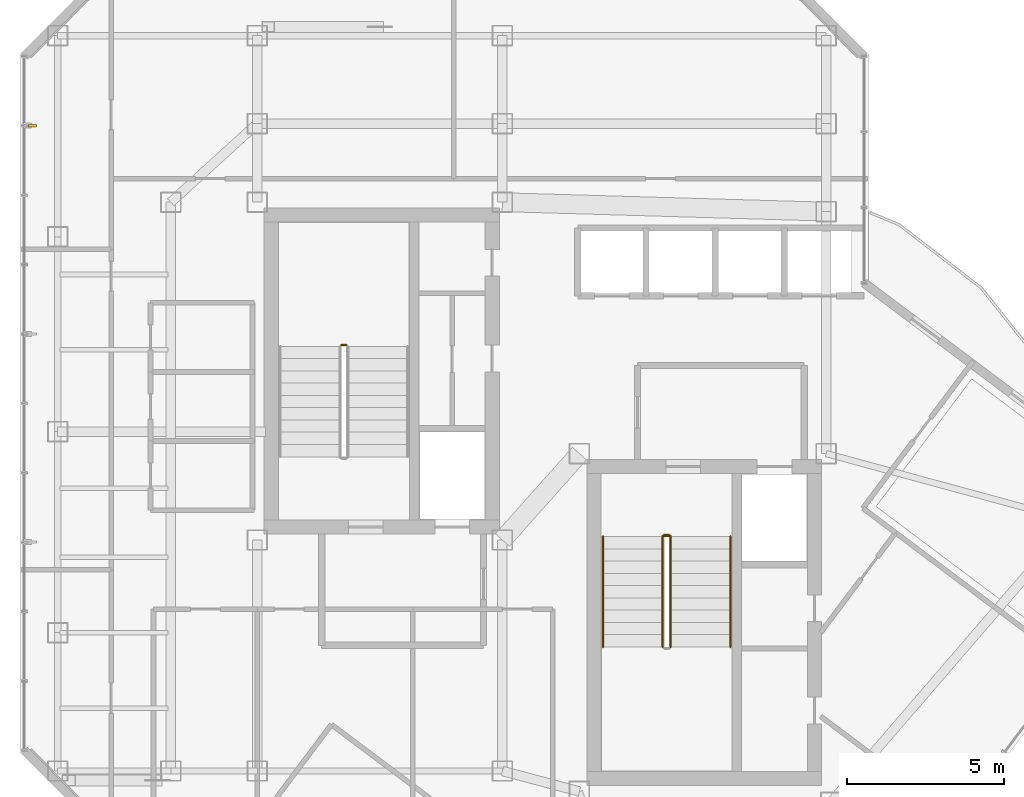
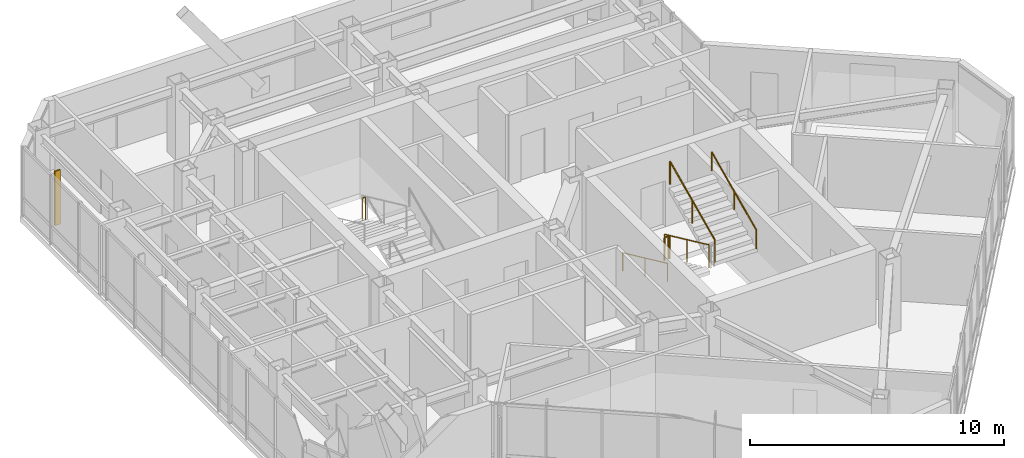
# One storey, part 21 of 22: 7 railings, 1 shading device.
"""IFC4 building model written with IfcOpenShell, lengths in metres."""

from ifc_helpers import new_model, si_unit, direction, frame, origin, origin_2d, place, context, subcontext, project, spatial, rectangle, circle, extrude, material, layer, layer_set, type_object, element, save


model = new_model("IFC4")

# Units and contexts
model_context = context("Model", 3, precision=1e-05, world=origin(), true_north=direction((0.0, 1.0)))
body_context = subcontext(model_context, "Body", "Model", "MODEL_VIEW")
ifc_project = project(units=[si_unit("LENGTHUNIT", "METRE"), si_unit("AREAUNIT", "SQUARE_METRE"), si_unit("VOLUMEUNIT", "CUBIC_METRE"), si_unit("PLANEANGLEUNIT", "RADIAN"), si_unit("MASSUNIT", "GRAM", prefix="KILO")], contexts=[model_context])

# Site, building, storey
site_placement = place(None, origin())
site = spatial("IfcSite", under=ifc_project, at=site_placement, CompositionType="ELEMENT")
building_placement = place(site_placement, origin())
building = spatial("IfcBuilding", under=site, at=building_placement, Name="Hatsunagi Terrace Concourse", CompositionType="ELEMENT")
storey_placement = place(building_placement, frame((0.0, 0.0, 243.14990234375)))
storey = spatial("IfcBuildingStorey", under=building, at=storey_placement, Name="L64", CompositionType="ELEMENT", Elevation=243.14990234375)

# Railings
ifc_material_1 = material(Name="Stainless steel", Category="steel")
ifc_layer_1 = layer(ifc_material_1, 0.044921875)
ifc_layer_set_1 = layer_set([ifc_layer_1], Name="StairPitchHandrail_Tower2000")
railing_type_1 = type_object("IfcRailingType", Name="StairPitchHandrail_Tower2000", PredefinedType="HANDRAIL", material=ifc_layer_set_1)
railing_1_placement = place(storey_placement, frame((36.550048828125, 32.659912109375, 0.18017578125)))
element("IfcRailing", 1, at=railing_1_placement, inside=storey, type_object=railing_type_1, Name="L64 ST-B stair handrail 1", PredefinedType="HANDRAIL", context=body_context, shape_type="SweptSolid", body=[
    extrude(circle(Radius=0.02392578125, at=origin_2d()), frame((0.0, 0.0, 0.8759765625), z_axis=(0.0, -0.907972323039, 0.419030142823), x_axis=(1.0, 0.0, 0.0)), (0.0, 0.0, 1.0), 3.86572265625),
    extrude(circle(Radius=0.02099609375, at=origin_2d()), origin(), (0.0, 0.0, 1.0), 0.851806640625),
    extrude(circle(Radius=0.02099609375, at=origin_2d()), frame((0.0, -1.7548828125, 0.81005859375)), (0.0, 0.0, 1.0), 0.851806640625),
    extrude(circle(Radius=0.02099609375, at=origin_2d()), frame((0.0, -3.510009765625, 1.619873046875)), (0.0, 0.0, 1.0), 0.851806640625),
])
railing_2_placement = place(storey_placement, frame((40.60009765625, 29.14990234375, 1.97998046875)))
element("IfcRailing", 2, at=railing_2_placement, inside=storey, type_object=railing_type_1, Name="L64 ST-B stair handrail 2", PredefinedType="HANDRAIL", context=body_context, shape_type="SweptSolid", body=[
    extrude(circle(Radius=0.02392578125, at=origin_2d()), frame((0.0, 0.0, 0.8759765625), z_axis=(0.0, 0.907948293929, 0.419082206198), x_axis=(-1.0, 0.0, 0.0)), (0.0, 0.0, 1.0), 3.865966796875),
    extrude(circle(Radius=0.02099609375, at=origin_2d()), origin(), (0.0, 0.0, 1.0), 0.851806640625),
    extrude(circle(Radius=0.02099609375, at=origin_2d()), frame((0.0, 1.7548828125, 0.81005859375)), (0.0, 0.0, 1.0), 0.851806640625),
    extrude(circle(Radius=0.02099609375, at=origin_2d()), frame((0.0, 3.510009765625, 1.6201171875)), (0.0, 0.0, 1.0), 0.851806640625),
])
ifc_material_2 = material(Name="Stainless steel", Category="steel")
ifc_layer_2 = layer(ifc_material_2, 0.06005859375)
ifc_layer_set_2 = layer_set([ifc_layer_2], Name="StairWellGuard_Tower2000")
railing_type_2 = type_object("IfcRailingType", Name="StairWellGuard_Tower2000", PredefinedType="BALUSTRADE", material=ifc_layer_set_2)
railing_3_placement = place(storey_placement, frame((28.3798828125, 38.760009765625, 1.800048828125)))
element("IfcRailing", 3, at=railing_3_placement, inside=storey, type_object=railing_type_2, Name="L64 ST-A stair guard 2", PredefinedType="BALUSTRADE", context=body_context, shape_type="SweptSolid", body=[
    extrude(circle(Radius=0.02392578125, at=origin_2d()), frame((0.0, 0.0, 1.09619140625), z_axis=(-1.0, 0.0, 0.0), x_axis=(0.0, -1.0, 0.0)), (0.0, 0.0, 1.0), 0.14990234375),
    extrude(circle(Radius=0.02099609375, at=origin_2d()), origin(), (0.0, 0.0, 1.0), 1.072021484375),
    extrude(circle(Radius=0.02099609375, at=origin_2d()), frame((-0.14990234375, 0.0, 0.0)), (0.0, 0.0, 1.0), 1.072021484375),
])
railing_4_placement = place(storey_placement, frame((38.449951171875, 32.659912109375, 0.18017578125)))
element("IfcRailing", 4, at=railing_4_placement, inside=storey, type_object=railing_type_2, Name="L64 ST-B stair guard 1", PredefinedType="BALUSTRADE", context=body_context, shape_type="SweptSolid", body=[
    extrude(circle(Radius=0.02392578125, at=origin_2d()), frame((0.0, 0.0, 1.09619140625), z_axis=(0.0, -0.907972323039, 0.419030142823), x_axis=(1.0, 0.0, 0.0)), (0.0, 0.0, 1.0), 3.86572265625),
    extrude(circle(Radius=0.02099609375, at=origin_2d()), origin(), (0.0, 0.0, 1.0), 1.072021484375),
    extrude(circle(Radius=0.02099609375, at=origin_2d()), frame((0.0, -1.7548828125, 0.81005859375)), (0.0, 0.0, 1.0), 1.072021484375),
    extrude(circle(Radius=0.02099609375, at=origin_2d()), frame((0.0, -3.510009765625, 1.619873046875)), (0.0, 0.0, 1.0), 1.072021484375),
])
railing_5_placement = place(storey_placement, frame((38.699951171875, 29.14990234375, 1.97998046875)))
element("IfcRailing", 5, at=railing_5_placement, inside=storey, type_object=railing_type_2, Name="L64 ST-B stair guard 3", PredefinedType="BALUSTRADE", context=body_context, shape_type="SweptSolid", body=[
    extrude(circle(Radius=0.02392578125, at=origin_2d()), frame((0.0, 0.0, 1.09619140625), z_axis=(0.0, 0.907948293929, 0.419082206198), x_axis=(-1.0, 0.0, 0.0)), (0.0, 0.0, 1.0), 3.865966796875),
    extrude(circle(Radius=0.02099609375, at=origin_2d()), origin(), (0.0, 0.0, 1.0), 1.072021484375),
    extrude(circle(Radius=0.02099609375, at=origin_2d()), frame((0.0, 1.7548828125, 0.81005859375)), (0.0, 0.0, 1.0), 1.072021484375),
    extrude(circle(Radius=0.02099609375, at=origin_2d()), frame((0.0, 3.510009765625, 1.6201171875)), (0.0, 0.0, 1.0), 1.072021484375),
])
railing_6_placement = place(storey_placement, frame((38.5, 32.7099609375, 0.0)))
element("IfcRailing", 6, at=railing_6_placement, inside=storey, type_object=railing_type_2, Name="L64 ST-B stair guard 4", PredefinedType="BALUSTRADE", context=body_context, shape_type="SweptSolid", body=[
    extrude(circle(Radius=0.02392578125, at=origin_2d()), frame((0.0, 0.0, 1.09619140625), z_axis=(1.0, 0.0, 0.0), x_axis=(0.0, 1.0, 0.0)), (0.0, 0.0, 1.0), 0.14990234375),
    extrude(circle(Radius=0.02099609375, at=origin_2d()), origin(), (0.0, 0.0, 1.0), 1.072021484375),
    extrude(circle(Radius=0.02099609375, at=origin_2d()), frame((0.14990234375, 0.0, 0.0)), (0.0, 0.0, 1.0), 1.072021484375),
])
ifc_material_3 = material(Name="Stainless Steel SUS316 Post-and-Rail Guard", Category="steel")
ifc_layer_3 = layer(ifc_material_3, 0.080078125)
ifc_layer_set_3 = layer_set([ifc_layer_3], Name="TerracePlantedGuardRail_1200")
railing_type_3 = type_object("IfcRailingType", Name="TerracePlantedGuardRail_1200", PredefinedType="GUARDRAIL", material=ifc_layer_set_3)
railing_7_placement = place(storey_placement, frame((38.449951171875, 32.679931640625, 0.0)))
element("IfcRailing", 7, at=railing_7_placement, inside=storey, type_object=railing_type_3, Name="Stair ST-B Well Closure Guard L64", PredefinedType="GUARDRAIL", context=body_context, shape_type="SweptSolid", body=[
    extrude(circle(Radius=0.02392578125, at=origin_2d()), frame((0.0, 0.0, 1.09619140625), z_axis=(1.0, 0.0, 0.0), x_axis=(0.0, 1.0, 0.0)), (0.0, 0.0, 1.0), 0.25),
    extrude(circle(Radius=0.02099609375, at=origin_2d()), origin(), (0.0, 0.0, 1.0), 1.072021484375),
    extrude(circle(Radius=0.02099609375, at=origin_2d()), frame((0.25, 0.0, 0.0)), (0.0, 0.0, 1.0), 1.072021484375),
])

# Shading device
ifc_material_4 = material(Name="Extruded Unglazed Terracotta Baguette", Category="masonry")
shading_device_type = type_object("IfcShadingDeviceType", Name="TerracottaFinScreen_260x70", PredefinedType="USERDEFINED", material=ifc_material_4)
shading_device_placement = place(storey_placement, frame((18.389892578125, 45.73388671875, 0.85009765625), z_axis=(0.0, 0.0, 1.0), x_axis=(0.0, 1.0, 0.0)))
element("IfcShadingDevice", 8, at=shading_device_placement, inside=storey, type_object=shading_device_type, Name="Terracotta Baguette Fin Screen SCR-01", ObjectType="SUNSHADE", PredefinedType="USERDEFINED", context=body_context, shape_type="SweptSolid", body=[
    extrude(rectangle(XDim=0.070068359375, YDim=0.260009765625, at=origin_2d()), origin(), (0.0, 0.0, 1.0), 2.60009765625),
])

save(model, "model.ifc")
